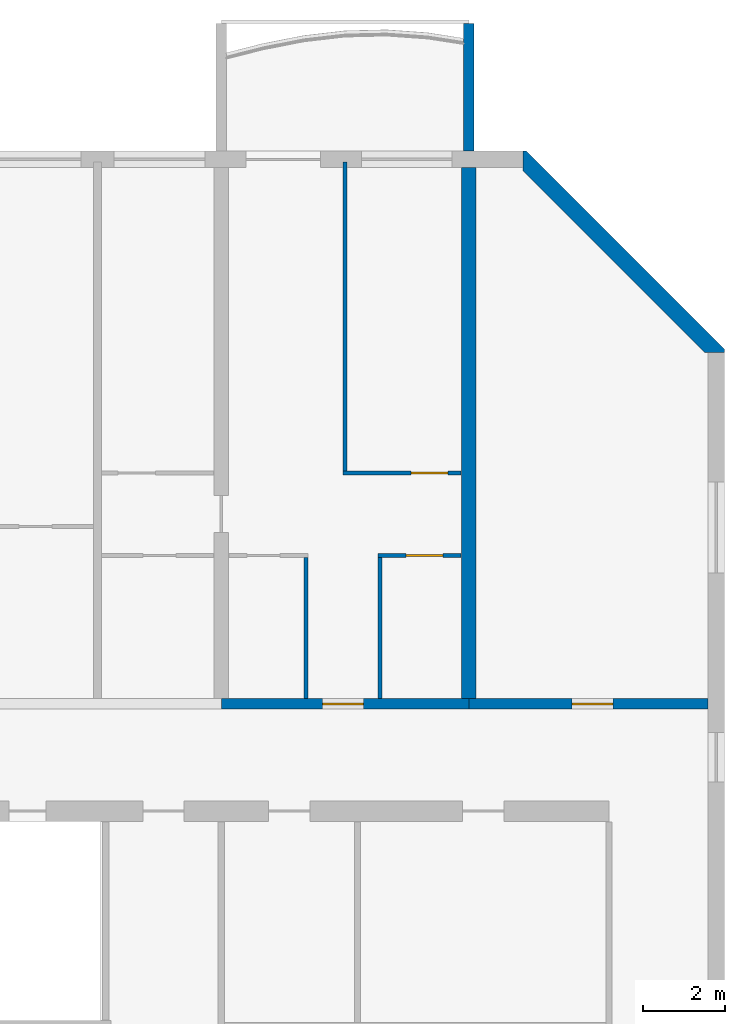
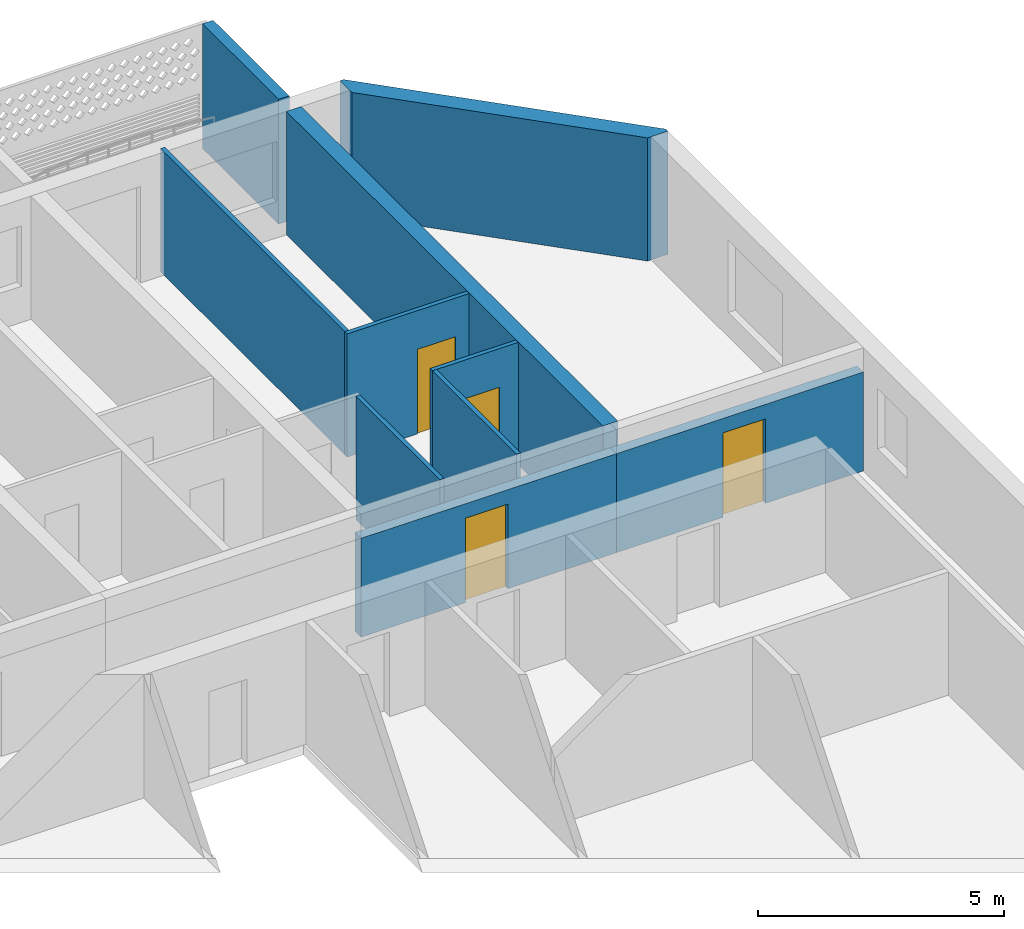
# One storey, part 16 of 31: 10 walls, 4 doors, 4 openings.
"""IFC4 building model written with IfcOpenShell, lengths in metres."""

from ifc_helpers import new_model, si_unit, direction, frame, frame_2d, origin, place, context, subcontext, project, spatial, polyline, rectangle, outline, extrude, source, transform, mapped, material, layer, layer_set, type_object, element, fill, save


model = new_model("IFC4")

# Units and contexts
model_context = context("Model", 3, precision=1e-05, world=origin(), true_north=direction((0.0, 1.0)))
body_context = subcontext(model_context, "Body", "Model", "MODEL_VIEW")
ifc_project = project(units=[si_unit("LENGTHUNIT", "METRE"), si_unit("AREAUNIT", "SQUARE_METRE"), si_unit("VOLUMEUNIT", "CUBIC_METRE"), si_unit("PLANEANGLEUNIT", "RADIAN"), si_unit("MASSUNIT", "GRAM", prefix="KILO")], contexts=[model_context])

# Site, building, storey
site_placement = place(None, origin())
site = spatial("IfcSite", under=ifc_project, at=site_placement, CompositionType="ELEMENT")
building_placement = place(site_placement, origin())
building = spatial("IfcBuilding", under=site, at=building_placement, Name="Poui Terraces", CompositionType="ELEMENT")
storey_placement = place(building_placement, frame((0.0, 0.0, 82.800048828125)))
storey = spatial("IfcBuildingStorey", under=building, at=storey_placement, Name="L22", CompositionType="ELEMENT", Elevation=82.800048828125)

# Wall, opening, door
ifc_material_1 = material(Name="Concrete 65 MPa", Category="concrete")
ifc_layer_1 = layer(ifc_material_1, 0.25)
ifc_layer_set_1 = layer_set([ifc_layer_1], Name="Concrete 65 MPa")
wall_type_1 = type_object("IfcWallType", Name="CORRIDOR WALL 250 65MPa", PredefinedType="SHEAR", material=ifc_layer_set_1)
wall_1_placement = place(storey_placement, frame((84.0, 30.39990234375, 0.0), z_axis=(0.0, 0.0, 1.0), x_axis=(1.0, 0.0, 0.0)))
wall_1 = element("IfcWall", 1, at=wall_1_placement, inside=storey, type_object=wall_type_1, Name="CORRIDOR WALL LINE E BAY 14", PredefinedType="SHEAR", context=body_context, shape_type="SweptSolid", body=[
    extrude(rectangle(XDim=6.0, YDim=0.25, at=frame_2d((3.0, 0.0))), origin(), (0.0, 0.0, 1.0), 2.4599609375),
])
opening_1_placement = place(wall_1_placement, frame((2.449951171875, 0.0, 0.0)))
opening_1 = element("IfcOpeningElement", 2, at=opening_1_placement, cuts=wall_1, Name="Opening FD30S", PredefinedType="OPENING", context=body_context, shape_type="SweptSolid", body=[
    extrude(rectangle(XDim=1.0, YDim=2.10009765625, at=frame_2d((0.5, 1.050048828125))), frame((0.0, 0.135009765625, 0.0), z_axis=(0.0, -1.0, 0.0), x_axis=(1.0, 0.0, 0.0)), (0.0, 0.0, 1.0), 0.27001953125),
])
ifc_material_2 = material(Name="Steel fire door", Category="steel")
door_type_1 = type_object("IfcDoorType", Name="FLAT ENTRANCE DOOR 1000 X 2100", OperationType="NOTDEFINED", PredefinedType="DOOR", material=ifc_material_2)
door_1_placement = place(opening_1_placement, origin())
door_1 = element("IfcDoor", 3, at=door_1_placement, inside=storey, type_object=door_type_1, Name="FLAT ENTRANCE DOOR 081", OperationType="SINGLE_SWING_LEFT", OverallHeight=2.10009765625, OverallWidth=1.0, PredefinedType="DOOR", context=body_context, shape_type="SweptSolid", body=[
    extrude(rectangle(XDim=1.0, YDim=2.10009765625, at=frame_2d((0.5, 1.050048828125))), frame((0.0, 0.02490234375, 0.0), z_axis=(0.0, -1.0, 0.0), x_axis=(1.0, 0.0, 0.0)), (0.0, 0.0, 1.0), 0.050048828125),
])
fill(opening_1, door_1)

wall_2_placement = place(storey_placement, frame((90.0, 30.39990234375, 0.0), z_axis=(0.0, 0.0, 1.0), x_axis=(1.0, 0.0, 0.0)))
wall_2 = element("IfcWall", 4, at=wall_2_placement, inside=storey, type_object=wall_type_1, Name="CORRIDOR WALL LINE E BAY 15", PredefinedType="SHEAR", context=body_context, shape_type="SweptSolid", body=[
    extrude(rectangle(XDim=5.800048828125, YDim=0.25, at=frame_2d((2.89990234375, 0.0))), origin(), (0.0, 0.0, 1.0), 2.4599609375),
])
opening_2_placement = place(wall_2_placement, frame((2.5, 0.0, 0.0)))
opening_2 = element("IfcOpeningElement", 5, at=opening_2_placement, cuts=wall_2, Name="Opening D100", PredefinedType="OPENING", context=body_context, shape_type="SweptSolid", body=[
    extrude(rectangle(XDim=1.0, YDim=2.10009765625, at=frame_2d((0.5, 1.050048828125))), frame((0.0, 0.135009765625, 0.0), z_axis=(0.0, -1.0, 0.0), x_axis=(1.0, 0.0, 0.0)), (0.0, 0.0, 1.0), 0.27001953125),
])
ifc_material_3 = material(Name="Solid core timber door", Category="wood")
door_type_2 = type_object("IfcDoorType", Name="ACCESSIBLE INTERNAL DOOR 1000 X 2100", OperationType="NOTDEFINED", PredefinedType="DOOR", material=ifc_material_3)
door_2_placement = place(opening_2_placement, origin())
door_2 = element("IfcDoor", 6, at=door_2_placement, inside=storey, type_object=door_type_2, Name="ACCESSIBLE INTERNAL DOOR 084", OperationType="SINGLE_SWING_LEFT", OverallHeight=2.10009765625, OverallWidth=1.0, PredefinedType="DOOR", context=body_context, shape_type="SweptSolid", body=[
    extrude(rectangle(XDim=1.0, YDim=2.10009765625, at=frame_2d((0.5, 1.050048828125))), frame((0.0, 0.02490234375, 0.0), z_axis=(0.0, -1.0, 0.0), x_axis=(1.0, 0.0, 0.0)), (0.0, 0.0, 1.0), 0.050048828125),
])
fill(opening_2, door_2)

# Wall
ifc_layer_2 = layer(ifc_material_1, 0.35009765625)
ifc_layer_set_2 = layer_set([ifc_layer_2], Name="Concrete 65 MPa")
wall_type_2 = type_object("IfcWallType", Name="CROSS WALL 350 65MPa", PredefinedType="SHEAR", material=ifc_layer_set_2)
wall_3_placement = place(storey_placement, frame((90.0, 30.52490234375, 0.0), z_axis=(0.0, 0.0, 1.0), x_axis=(0.0, 1.0, 0.0)))
element("IfcWall", 7, at=wall_3_placement, inside=storey, type_object=wall_type_2, Name="CROSS WALL LINE 16 NORTH", PredefinedType="SHEAR", context=body_context, shape_type="SweptSolid", body=[
    extrude(rectangle(XDim=12.875, YDim=0.35009765625, at=frame_2d((6.4375, 0.0))), origin(), (0.0, 0.0, 1.0), 3.06005859375),
])

# Wall, opening, door
ifc_material_4 = material(Name="Plasterboard partition")
ifc_layer_3 = layer(ifc_material_4, 0.10009765625)
ifc_layer_set_3 = layer_set([ifc_layer_3], Name="Plasterboard partition")
wall_type_3 = type_object("IfcWallType", Name="FLAT PARTITION 100", PredefinedType="PARTITIONING", material=ifc_layer_set_3)
wall_4_placement = place(storey_placement, frame((87.800048828125, 34.0, 0.0), z_axis=(0.0, 0.0, 1.0), x_axis=(1.0, 0.0, 0.0)))
wall_4 = element("IfcWall", 8, at=wall_4_placement, inside=storey, type_object=wall_type_3, Name="FLAT PARTITION 100", PredefinedType="PARTITIONING", context=body_context, shape_type="SweptSolid", body=[
    extrude(rectangle(XDim=2.014892578125, YDim=0.10009765625, at=frame_2d((1.00732421875, 0.0))), origin(), (0.0, 0.0, 1.0), 3.06005859375),
])
opening_3_placement = place(wall_4_placement, frame((0.675048828125, 0.0, 0.0)))
opening_3 = element("IfcOpeningElement", 9, at=opening_3_placement, cuts=wall_4, Name="Opening D90", PredefinedType="OPENING", context=body_context, shape_type="SweptSolid", body=[
    extrude(rectangle(XDim=0.89990234375, YDim=2.10009765625, at=frame_2d((0.449951171875, 1.050048828125))), frame((0.0, 0.06005859375, 0.0), z_axis=(0.0, -1.0, 0.0), x_axis=(1.0, 0.0, 0.0)), (0.0, 0.0, 1.0), 0.1201171875),
])
door_type_3 = type_object("IfcDoorType", Name="INTERNAL DOOR 900 X 2100", OperationType="NOTDEFINED", PredefinedType="DOOR", material=ifc_material_3)
door_3_placement = place(opening_3_placement, frame((0.89990234375, 0.0, 0.0), z_axis=(0.0, 0.0, 1.0), x_axis=(-1.0, 0.0, 0.0)))
door_3 = element("IfcDoor", 10, at=door_3_placement, inside=storey, type_object=door_type_3, Name="INTERNAL DOOR 082", OperationType="SINGLE_SWING_LEFT", OverallHeight=2.10009765625, OverallWidth=0.89990234375, PredefinedType="DOOR", context=body_context, shape_type="SweptSolid", body=[
    extrude(rectangle(XDim=0.89990234375, YDim=2.10009765625, at=frame_2d((0.449951171875, 1.050048828125))), frame((0.0, 0.02490234375, 0.0), z_axis=(0.0, -1.0, 0.0), x_axis=(1.0, 0.0, 0.0)), (0.0, 0.0, 1.0), 0.050048828125),
])
fill(opening_3, door_3)

wall_5_placement = place(storey_placement, frame((86.949951171875, 36.0, 0.0), z_axis=(0.0, 0.0, 1.0), x_axis=(1.0, 0.0, 0.0)))
wall_5 = element("IfcWall", 11, at=wall_5_placement, inside=storey, type_object=wall_type_3, Name="FLAT PARTITION 100", PredefinedType="PARTITIONING", context=body_context, shape_type="SweptSolid", body=[
    extrude(rectangle(XDim=2.864990234375, YDim=0.10009765625, at=frame_2d((1.4326171875, 0.0))), origin(), (0.0, 0.0, 1.0), 3.06005859375),
])
opening_4_placement = place(wall_5_placement, frame((1.64990234375, 0.0, 0.0)))
opening_4 = element("IfcOpeningElement", 12, at=opening_4_placement, cuts=wall_5, Name="Opening D90", PredefinedType="OPENING", context=body_context, shape_type="SweptSolid", body=[
    extrude(rectangle(XDim=0.89990234375, YDim=2.10009765625, at=frame_2d((0.449951171875, 1.050048828125))), frame((0.0, 0.06005859375, 0.0), z_axis=(0.0, -1.0, 0.0), x_axis=(1.0, 0.0, 0.0)), (0.0, 0.0, 1.0), 0.1201171875),
])
door_4_placement = place(opening_4_placement, frame((0.89990234375, 0.0, 0.0), z_axis=(0.0, 0.0, 1.0), x_axis=(-1.0, 0.0, 0.0)))
door_4 = element("IfcDoor", 13, at=door_4_placement, inside=storey, type_object=door_type_3, Name="INTERNAL DOOR 083", OperationType="SINGLE_SWING_RIGHT", OverallHeight=2.10009765625, OverallWidth=0.89990234375, PredefinedType="DOOR", context=body_context, shape_type="SweptSolid", body=[
    extrude(rectangle(XDim=0.89990234375, YDim=2.10009765625, at=frame_2d((0.449951171875, 1.050048828125))), frame((0.0, 0.02490234375, 0.0), z_axis=(0.0, -1.0, 0.0), x_axis=(1.0, 0.0, 0.0)), (0.0, 0.0, 1.0), 0.050048828125),
])
fill(opening_4, door_4)

# Walls
wall_6_placement = place(storey_placement, frame((86.050048828125, 30.534912109375, 0.0), z_axis=(0.0, 0.0, 1.0), x_axis=(0.0, 1.0, 0.0)))
element("IfcWall", 14, at=wall_6_placement, inside=storey, type_object=wall_type_3, Name="FLAT PARTITION 100", PredefinedType="PARTITIONING", context=body_context, shape_type="SweptSolid", body=[
    extrude(rectangle(XDim=3.4150390625, YDim=0.10009765625, at=frame_2d((1.70751953125, 0.0))), origin(), (0.0, 0.0, 1.0), 3.06005859375),
])
wall_7_placement = place(storey_placement, frame((87.0, 36.050048828125, 0.0), z_axis=(0.0, 0.0, 1.0), x_axis=(0.0, 1.0, 0.0)))
element("IfcWall", 15, at=wall_7_placement, inside=storey, type_object=wall_type_3, Name="FLAT PARTITION 100", PredefinedType="PARTITIONING", context=body_context, shape_type="SweptSolid", body=[
    extrude(rectangle(XDim=7.489990234375, YDim=0.10009765625, at=frame_2d((3.7451171875, 0.0))), origin(), (0.0, 0.0, 1.0), 3.06005859375),
])
wall_8_placement = place(storey_placement, frame((87.85009765625, 30.534912109375, 0.0), z_axis=(0.0, 0.0, 1.0), x_axis=(0.0, 1.0, 0.0)))
element("IfcWall", 16, at=wall_8_placement, inside=storey, type_object=wall_type_3, Name="FLAT PARTITION 100", PredefinedType="PARTITIONING", context=body_context, shape_type="SweptSolid", body=[
    extrude(rectangle(XDim=3.4150390625, YDim=0.10009765625, at=frame_2d((1.70751953125, 0.0))), origin(), (0.0, 0.0, 1.0), 3.06005859375),
])
ifc_material_5 = material(Name="Precast concrete 40 MPa", Category="concrete")
ifc_layer_4 = layer(ifc_material_5, 0.39990234375)
ifc_layer_set_4 = layer_set([ifc_layer_4], Name="Precast concrete 40 MPa")
wall_type_4 = type_object("IfcWallType", Name="TERRACOTTA CLAD CHAMFER WALL 400", PredefinedType="STANDARD", material=ifc_layer_set_4)
wall_9_placement = place(storey_placement, origin())
element("IfcWall", 17, at=wall_9_placement, inside=storey, type_object=wall_type_4, Name="CHAMFER WALL CH03", PredefinedType="STANDARD", context=body_context, shape_type="SweptSolid", body=[
    extrude(outline(polyline([(96.199951171875, 38.917236328125), (96.199951171875, 39.0), (91.39990234375, 43.800048828125), (91.317138671875, 43.800048828125), (91.317138671875, 43.317138671875), (95.71728515625, 38.917236328125), (96.199951171875, 38.917236328125)])), origin(), (0.0, 0.0, 1.0), 3.06005859375),
])
ifc_layer_5 = layer(ifc_material_5, 0.25)
ifc_layer_set_5 = layer_set([ifc_layer_5], Name="Precast concrete 40 MPa")
wall_type_5 = type_object("IfcWallType", Name="BALCONY FIN 250", PredefinedType="STANDARD", material=ifc_layer_set_5)
shared_shape = source(origin(), body_context, "Body", "SweptSolid", [
    extrude(outline(polyline([(0.0, 0.0), (0.25, 0.0), (0.25, 3.099853515625), (0.0, 3.099853515625), (0.0, 0.0)])), origin(), (0.0, 0.0, 1.0), 3.099853515625),
])
wall_10_placement = place(storey_placement, frame((89.875, 43.800048828125, 0.0)))
element("IfcWall", 18, at=wall_10_placement, inside=storey, type_object=wall_type_5, Name="BALCONY FIN", PredefinedType="STANDARD", context=body_context, shape_type="MappedRepresentation", body=[
    mapped(shared_shape, transform((0.0, 0.0, 0.0))),
])

save(model, "model.ifc")
